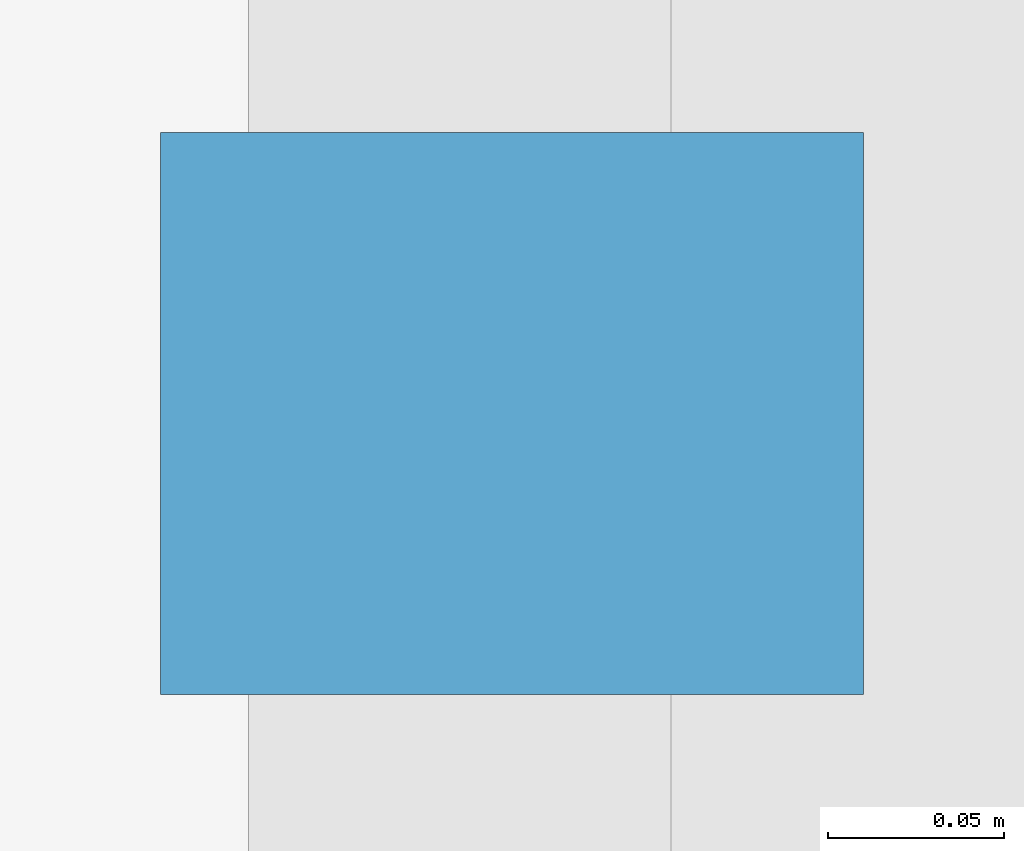
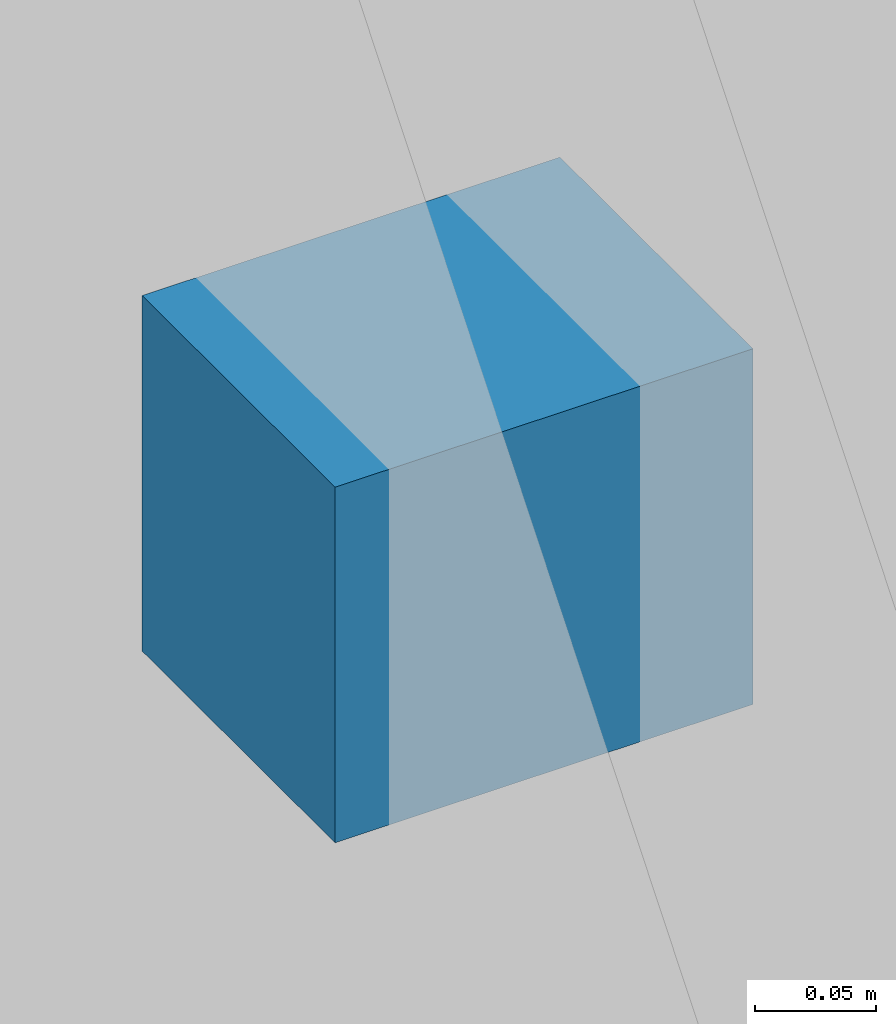
# One storey, part 18 of 22: 1 discrete accessory.
"""IFC4 building model written with IfcOpenShell, lengths in metres."""

from ifc_helpers import new_model, si_unit, direction, frame, origin, origin_2d, place, context, subcontext, project, spatial, rectangle, extrude, material, type_object, element, save


model = new_model("IFC4")

# Units and contexts
model_context = context("Model", 3, precision=1e-05, world=origin(), true_north=direction((0.0, 1.0)))
body_context = subcontext(model_context, "Body", "Model", "MODEL_VIEW")
ifc_project = project(units=[si_unit("LENGTHUNIT", "METRE"), si_unit("AREAUNIT", "SQUARE_METRE"), si_unit("VOLUMEUNIT", "CUBIC_METRE"), si_unit("PLANEANGLEUNIT", "RADIAN"), si_unit("MASSUNIT", "GRAM", prefix="KILO")], contexts=[model_context])

# Site, building, storey
site_placement = place(None, origin())
site = spatial("IfcSite", under=ifc_project, at=site_placement, CompositionType="ELEMENT")
building_placement = place(site_placement, origin())
building = spatial("IfcBuilding", under=site, at=building_placement, Name="Koriwani Terraces Tower", CompositionType="ELEMENT")
storey_placement = place(building_placement, frame((0.0, 0.0, 51.0)))
storey = spatial("IfcBuildingStorey", under=building, at=storey_placement, Name="L11", CompositionType="ELEMENT", Elevation=51.0)

# Discrete accessory
ifc_material = material(Name="Steel ASTM A572 Grade 50", Category="steel")
discrete_accessory_type = type_object("IfcDiscreteAccessoryType", Name="BAGUETTE_STANDOFF_BRACKET", PredefinedType="BRACKET", material=ifc_material)
discrete_accessory_placement = place(storey_placement, frame((33.2099609375, 71.39990234375, 1.68505859375), z_axis=(0.0, 0.0, 1.0), x_axis=(0.0, -1.0, 0.0)))
element("IfcDiscreteAccessory", 1, at=discrete_accessory_placement, inside=storey, type_object=discrete_accessory_type, Name="L11 Terracotta Baguette Bracket (NW_IN-14)", PredefinedType="BRACKET", context=body_context, shape_type="SweptSolid", body=[
    extrude(rectangle(XDim=0.159912109375, YDim=0.199951171875, at=origin_2d()), origin(), (0.0, 0.0, 1.0), 0.179931640625),
])

save(model, "model.ifc")
